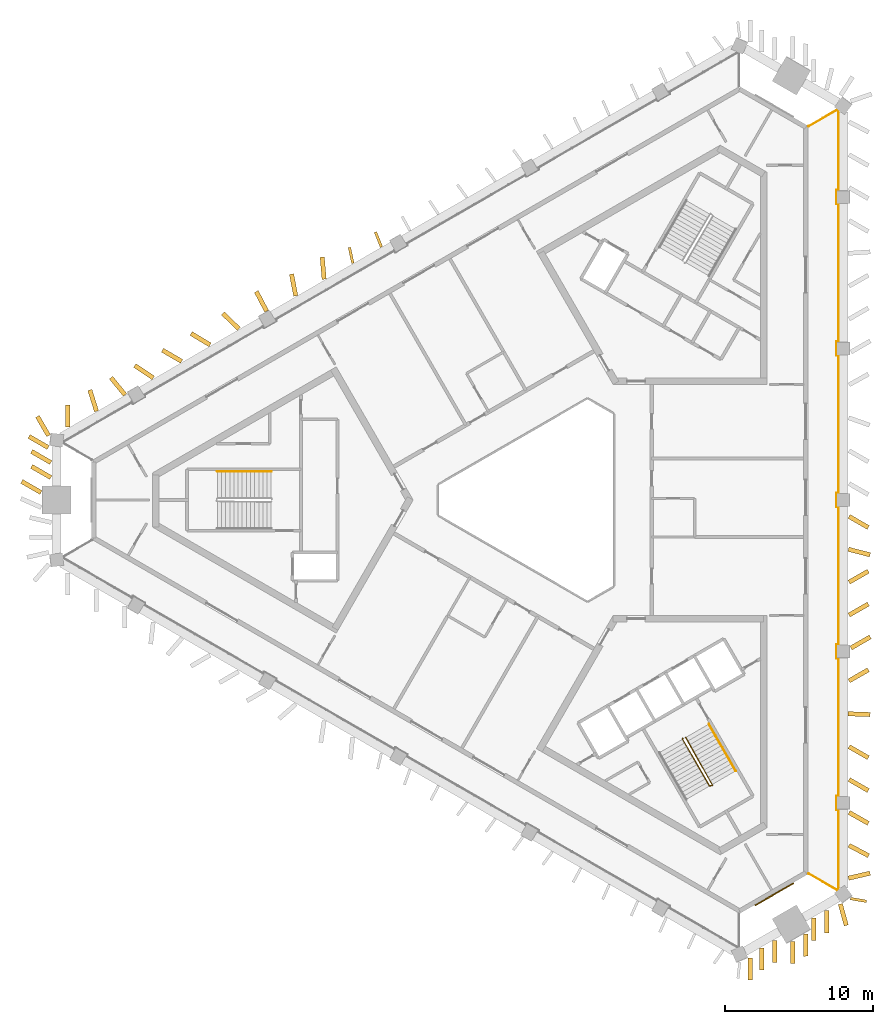
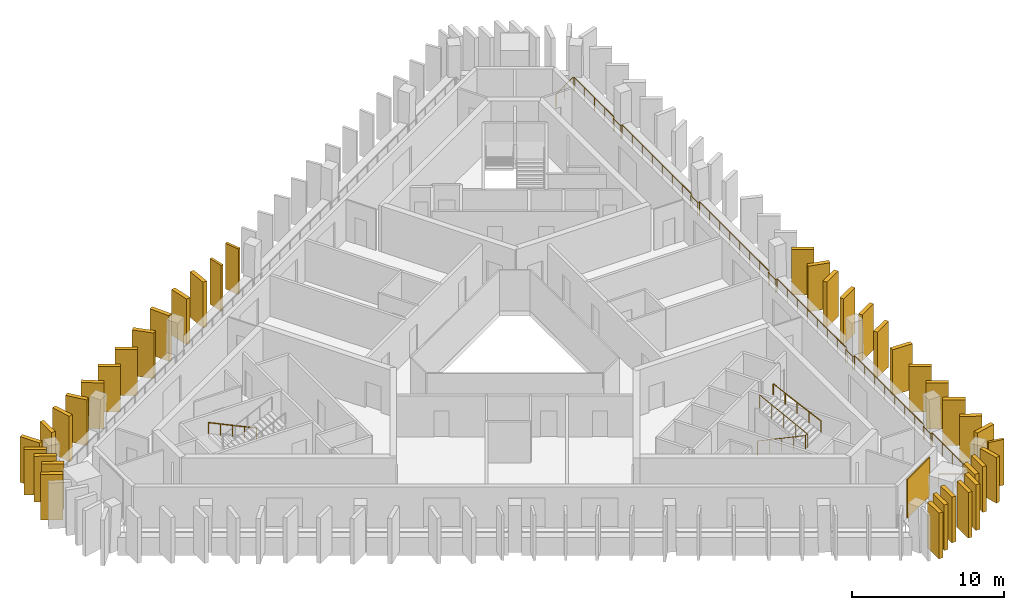
# One storey, part 8 of 9: 38 shading devices, 4 railings, 1 covering.
"""IFC4 building model written with IfcOpenShell, lengths in metres."""

from ifc_helpers import new_model, si_unit, direction, frame, frame_2d, origin, origin_2d, place, context, subcontext, project, spatial, rectangle, circle, extrude, material, layer, layer_set, type_object, element, save


model = new_model("IFC4")

# Units and contexts
model_context = context("Model", 3, precision=1e-05, world=origin(), true_north=direction((0.0, 1.0)))
body_context = subcontext(model_context, "Body", "Model", "MODEL_VIEW")
ifc_project = project(units=[si_unit("LENGTHUNIT", "METRE"), si_unit("AREAUNIT", "SQUARE_METRE"), si_unit("VOLUMEUNIT", "CUBIC_METRE"), si_unit("PLANEANGLEUNIT", "RADIAN"), si_unit("MASSUNIT", "GRAM", prefix="KILO")], contexts=[model_context])

# Site, building, storey
site_placement = place(None, origin())
site = spatial("IfcSite", under=ifc_project, at=site_placement, CompositionType="ELEMENT")
building_placement = place(site_placement, origin())
building = spatial("IfcBuilding", under=site, at=building_placement, Name="Jabali Bay Hotel Tower and Convention Centre", CompositionType="ELEMENT")
storey_placement = place(building_placement, frame((0.0, 0.0, 228.0)))
storey = spatial("IfcBuildingStorey", under=building, at=storey_placement, Name="L56", CompositionType="ELEMENT", Elevation=228.0)

# Railing
ifc_material_1 = material(Name="Glass", Category="glass")
railing_type_1 = type_object("IfcRailingType", Name="Loggia glass guard 1100", PredefinedType="BALUSTRADE", material=ifc_material_1)
railing_1_placement = place(storey_placement, frame((92.70263671875, 105.22412109375, 0.0)))
element("IfcRailing", 1, at=railing_1_placement, inside=storey, type_object=railing_type_1, Name="Loggia glass guard L56", PredefinedType="BALUSTRADE", context=body_context, shape_type="SweptSolid", body=[
    extrude(circle(Radius=0.02490234375, at=origin_2d()), frame((0.0, 0.0, 1.0751953125), z_axis=(0.866008297462, 0.50002962785, 0.0), x_axis=(-0.495751805066, 0.858599476426, 0.13052619222)), (0.0, 0.0, 1.0), 2.247314453125),
    extrude(circle(Radius=0.02490234375, at=origin_2d()), frame((1.9462890625, 1.123779296875, 1.0751953125), z_axis=(0.8, -0.6, 0.0), x_axis=(0.594866916824, 0.793155889099, 0.13052619222)), (0.0, 0.0, 1.0), 0.067138671875),
    extrude(circle(Radius=0.02490234375, at=origin_2d()), frame((2.0, 1.08349609375, 1.0751953125), z_axis=(0.0, -1.0, 0.0), x_axis=(0.991444861374, 0.0, 0.13052619222)), (0.0, 0.0, 1.0), 5.375732421875),
    extrude(circle(Radius=0.02490234375, at=origin_2d()), frame((2.0, -4.292236328125, 1.0751953125), z_axis=(-1.0, 0.0, 0.0), x_axis=(0.0, -0.991444861374, 0.13052619222)), (0.0, 0.0, 1.0), 0.125),
    extrude(circle(Radius=0.02490234375, at=origin_2d()), frame((1.875, -4.292236328125, 1.0751953125), z_axis=(0.0, -1.0, 0.0), x_axis=(0.991444861374, 0.0, 0.13052619222)), (0.0, 0.0, 1.0), 0.949951171875),
    extrude(circle(Radius=0.02490234375, at=origin_2d()), frame((1.875, -5.2421875, 1.0751953125), z_axis=(1.0, 0.0, 0.0), x_axis=(0.0, 0.991444861374, 0.13052619222)), (0.0, 0.0, 1.0), 0.125),
    extrude(circle(Radius=0.02490234375, at=origin_2d()), frame((2.0, -5.2421875, 1.0751953125), z_axis=(0.0, -1.0, 0.0), x_axis=(0.991444861374, 0.0, 0.13052619222)), (0.0, 0.0, 1.0), 9.278564453125),
    extrude(circle(Radius=0.02490234375, at=origin_2d()), frame((2.0, -14.520751953125, 1.0751953125), z_axis=(-1.0, 0.0, 0.0), x_axis=(0.0, -0.991444861374, 0.13052619222)), (0.0, 0.0, 1.0), 0.125),
    extrude(circle(Radius=0.02490234375, at=origin_2d()), frame((1.875, -14.520751953125, 1.0751953125), z_axis=(0.0, -1.0, 0.0), x_axis=(0.991444861374, 0.0, 0.13052619222)), (0.0, 0.0, 1.0), 0.949951171875),
    extrude(circle(Radius=0.02490234375, at=origin_2d()), frame((1.875, -15.470703125, 1.0751953125), z_axis=(1.0, 0.0, 0.0), x_axis=(0.0, 0.991444861374, 0.13052619222)), (0.0, 0.0, 1.0), 0.125),
    extrude(circle(Radius=0.02490234375, at=origin_2d()), frame((2.0, -15.470703125, 1.0751953125), z_axis=(0.0, -1.0, 0.0), x_axis=(0.991444861374, 0.0, 0.13052619222)), (0.0, 0.0, 1.0), 9.2783203125),
    extrude(circle(Radius=0.02490234375, at=origin_2d()), frame((2.0, -24.7490234375, 1.0751953125), z_axis=(-1.0, 0.0, 0.0), x_axis=(0.0, -0.991444861374, 0.13052619222)), (0.0, 0.0, 1.0), 0.125),
    extrude(circle(Radius=0.02490234375, at=origin_2d()), frame((1.875, -24.7490234375, 1.0751953125), z_axis=(0.0, -1.0, 0.0), x_axis=(0.991444861374, 0.0, 0.13052619222)), (0.0, 0.0, 1.0), 0.9501953125),
    extrude(circle(Radius=0.02490234375, at=origin_2d()), frame((1.875, -25.69921875, 1.0751953125), z_axis=(1.0, 0.0, 0.0), x_axis=(0.0, 0.991444861374, 0.13052619222)), (0.0, 0.0, 1.0), 0.125),
    extrude(circle(Radius=0.02490234375, at=origin_2d()), frame((2.0, -25.69921875, 1.0751953125), z_axis=(0.0, -1.0, 0.0), x_axis=(0.991444861374, 0.0, 0.13052619222)), (0.0, 0.0, 1.0), 9.2783203125),
    extrude(circle(Radius=0.02490234375, at=origin_2d()), frame((2.0, -34.9775390625, 1.0751953125), z_axis=(-1.0, 0.0, 0.0), x_axis=(0.0, -0.991444861374, 0.13052619222)), (0.0, 0.0, 1.0), 0.125),
    extrude(circle(Radius=0.02490234375, at=origin_2d()), frame((1.875, -34.9775390625, 1.0751953125), z_axis=(0.0, -1.0, 0.0), x_axis=(0.991444861374, 0.0, 0.13052619222)), (0.0, 0.0, 1.0), 0.949951171875),
    extrude(circle(Radius=0.02490234375, at=origin_2d()), frame((1.875, -35.927490234375, 1.0751953125), z_axis=(1.0, 0.0, 0.0), x_axis=(0.0, 0.991444861374, 0.13052619222)), (0.0, 0.0, 1.0), 0.125),
    extrude(circle(Radius=0.02490234375, at=origin_2d()), frame((2.0, -35.927490234375, 1.0751953125), z_axis=(0.0, -1.0, 0.0), x_axis=(0.991444861374, 0.0, 0.13052619222)), (0.0, 0.0, 1.0), 9.278564453125),
    extrude(circle(Radius=0.02490234375, at=origin_2d()), frame((2.0, -45.2060546875, 1.0751953125), z_axis=(-1.0, 0.0, 0.0), x_axis=(0.0, -0.991444861374, 0.13052619222)), (0.0, 0.0, 1.0), 0.125),
    extrude(circle(Radius=0.02490234375, at=origin_2d()), frame((1.875, -45.2060546875, 1.0751953125), z_axis=(0.0, -1.0, 0.0), x_axis=(0.991444861374, 0.0, 0.13052619222)), (0.0, 0.0, 1.0), 0.949951171875),
    extrude(circle(Radius=0.02490234375, at=origin_2d()), frame((1.875, -46.156005859375, 1.0751953125), z_axis=(1.0, 0.0, 0.0), x_axis=(0.0, 0.991444861374, 0.13052619222)), (0.0, 0.0, 1.0), 0.125),
    extrude(circle(Radius=0.02490234375, at=origin_2d()), frame((2.0, -46.156005859375, 1.0751953125), z_axis=(0.0, -1.0, 0.0), x_axis=(0.991444861374, 0.0, 0.13052619222)), (0.0, 0.0, 1.0), 5.375732421875),
    extrude(circle(Radius=0.02490234375, at=origin_2d()), frame((2.0, -51.53173828125, 1.0751953125), z_axis=(-0.8, -0.6, 0.0), x_axis=(0.594866916824, -0.793155889099, 0.13052619222)), (0.0, 0.0, 1.0), 0.067138671875),
    extrude(circle(Radius=0.02490234375, at=origin_2d()), frame((1.9462890625, -51.572021484375, 1.0751953125), z_axis=(-0.866008297462, 0.50002962785, 0.0), x_axis=(-0.495751805066, -0.858599476426, 0.13052619222)), (0.0, 0.0, 1.0), 2.247314453125),
    extrude(circle(Radius=0.02001953125, at=origin_2d()), origin(), (0.0, 0.0, 1.0), 1.050048828125),
    extrude(circle(Radius=0.02001953125, at=origin_2d()), frame((0.97314453125, 0.56201171875, 0.0)), (0.0, 0.0, 1.0), 1.050048828125),
    extrude(circle(Radius=0.02001953125, at=origin_2d()), frame((1.9462890625, 1.123779296875, 0.0)), (0.0, 0.0, 1.0), 1.050048828125),
    extrude(circle(Radius=0.02001953125, at=origin_2d()), frame((2.0, 1.08349609375, 0.0)), (0.0, 0.0, 1.0), 1.050048828125),
    extrude(circle(Radius=0.02001953125, at=origin_2d()), frame((2.0, -0.260498046875, 0.0)), (0.0, 0.0, 1.0), 1.050048828125),
    extrude(circle(Radius=0.02001953125, at=origin_2d()), frame((2.0, -1.6044921875, 0.0)), (0.0, 0.0, 1.0), 1.050048828125),
    extrude(circle(Radius=0.02001953125, at=origin_2d()), frame((2.0, -2.9482421875, 0.0)), (0.0, 0.0, 1.0), 1.050048828125),
    extrude(circle(Radius=0.02001953125, at=origin_2d()), frame((2.0, -4.292236328125, 0.0)), (0.0, 0.0, 1.0), 1.050048828125),
    extrude(circle(Radius=0.02001953125, at=origin_2d()), frame((1.875, -4.292236328125, 0.0)), (0.0, 0.0, 1.0), 1.050048828125),
    extrude(circle(Radius=0.02001953125, at=origin_2d()), frame((1.875, -5.2421875, 0.0)), (0.0, 0.0, 1.0), 1.050048828125),
    extrude(circle(Radius=0.02001953125, at=origin_2d()), frame((2.0, -5.2421875, 0.0)), (0.0, 0.0, 1.0), 1.050048828125),
    extrude(circle(Radius=0.02001953125, at=origin_2d()), frame((2.0, -6.567626953125, 0.0)), (0.0, 0.0, 1.0), 1.050048828125),
    extrude(circle(Radius=0.02001953125, at=origin_2d()), frame((2.0, -7.893310546875, 0.0)), (0.0, 0.0, 1.0), 1.050048828125),
    extrude(circle(Radius=0.02001953125, at=origin_2d()), frame((2.0, -9.21875, 0.0)), (0.0, 0.0, 1.0), 1.050048828125),
    extrude(circle(Radius=0.02001953125, at=origin_2d()), frame((2.0, -10.544189453125, 0.0)), (0.0, 0.0, 1.0), 1.050048828125),
    extrude(circle(Radius=0.02001953125, at=origin_2d()), frame((2.0, -11.86962890625, 0.0)), (0.0, 0.0, 1.0), 1.050048828125),
    extrude(circle(Radius=0.02001953125, at=origin_2d()), frame((2.0, -13.1953125, 0.0)), (0.0, 0.0, 1.0), 1.050048828125),
    extrude(circle(Radius=0.02001953125, at=origin_2d()), frame((2.0, -14.520751953125, 0.0)), (0.0, 0.0, 1.0), 1.050048828125),
    extrude(circle(Radius=0.02001953125, at=origin_2d()), frame((1.875, -14.520751953125, 0.0)), (0.0, 0.0, 1.0), 1.050048828125),
    extrude(circle(Radius=0.02001953125, at=origin_2d()), frame((1.875, -15.470703125, 0.0)), (0.0, 0.0, 1.0), 1.050048828125),
    extrude(circle(Radius=0.02001953125, at=origin_2d()), frame((2.0, -15.470703125, 0.0)), (0.0, 0.0, 1.0), 1.050048828125),
    extrude(circle(Radius=0.02001953125, at=origin_2d()), frame((2.0, -16.796142578125, 0.0)), (0.0, 0.0, 1.0), 1.050048828125),
    extrude(circle(Radius=0.02001953125, at=origin_2d()), frame((2.0, -18.12158203125, 0.0)), (0.0, 0.0, 1.0), 1.050048828125),
    extrude(circle(Radius=0.02001953125, at=origin_2d()), frame((2.0, -19.447021484375, 0.0)), (0.0, 0.0, 1.0), 1.050048828125),
    extrude(circle(Radius=0.02001953125, at=origin_2d()), frame((2.0, -20.772705078125, 0.0)), (0.0, 0.0, 1.0), 1.050048828125),
    extrude(circle(Radius=0.02001953125, at=origin_2d()), frame((2.0, -22.09814453125, 0.0)), (0.0, 0.0, 1.0), 1.050048828125),
    extrude(circle(Radius=0.02001953125, at=origin_2d()), frame((2.0, -23.423583984375, 0.0)), (0.0, 0.0, 1.0), 1.050048828125),
    extrude(circle(Radius=0.02001953125, at=origin_2d()), frame((2.0, -24.7490234375, 0.0)), (0.0, 0.0, 1.0), 1.050048828125),
    extrude(circle(Radius=0.02001953125, at=origin_2d()), frame((1.875, -24.7490234375, 0.0)), (0.0, 0.0, 1.0), 1.050048828125),
    extrude(circle(Radius=0.02001953125, at=origin_2d()), frame((1.875, -25.69921875, 0.0)), (0.0, 0.0, 1.0), 1.050048828125),
    extrude(circle(Radius=0.02001953125, at=origin_2d()), frame((2.0, -25.69921875, 0.0)), (0.0, 0.0, 1.0), 1.050048828125),
    extrude(circle(Radius=0.02001953125, at=origin_2d()), frame((2.0, -27.024658203125, 0.0)), (0.0, 0.0, 1.0), 1.050048828125),
    extrude(circle(Radius=0.02001953125, at=origin_2d()), frame((2.0, -28.35009765625, 0.0)), (0.0, 0.0, 1.0), 1.050048828125),
    extrude(circle(Radius=0.02001953125, at=origin_2d()), frame((2.0, -29.675537109375, 0.0)), (0.0, 0.0, 1.0), 1.050048828125),
    extrude(circle(Radius=0.02001953125, at=origin_2d()), frame((2.0, -31.001220703125, 0.0)), (0.0, 0.0, 1.0), 1.050048828125),
    extrude(circle(Radius=0.02001953125, at=origin_2d()), frame((2.0, -32.32666015625, 0.0)), (0.0, 0.0, 1.0), 1.050048828125),
    extrude(circle(Radius=0.02001953125, at=origin_2d()), frame((2.0, -33.652099609375, 0.0)), (0.0, 0.0, 1.0), 1.050048828125),
    extrude(circle(Radius=0.02001953125, at=origin_2d()), frame((2.0, -34.9775390625, 0.0)), (0.0, 0.0, 1.0), 1.050048828125),
    extrude(circle(Radius=0.02001953125, at=origin_2d()), frame((1.875, -34.9775390625, 0.0)), (0.0, 0.0, 1.0), 1.050048828125),
    extrude(circle(Radius=0.02001953125, at=origin_2d()), frame((1.875, -35.927490234375, 0.0)), (0.0, 0.0, 1.0), 1.050048828125),
    extrude(circle(Radius=0.02001953125, at=origin_2d()), frame((2.0, -35.927490234375, 0.0)), (0.0, 0.0, 1.0), 1.050048828125),
    extrude(circle(Radius=0.02001953125, at=origin_2d()), frame((2.0, -37.2529296875, 0.0)), (0.0, 0.0, 1.0), 1.050048828125),
    extrude(circle(Radius=0.02001953125, at=origin_2d()), frame((2.0, -38.57861328125, 0.0)), (0.0, 0.0, 1.0), 1.050048828125),
    extrude(circle(Radius=0.02001953125, at=origin_2d()), frame((2.0, -39.904052734375, 0.0)), (0.0, 0.0, 1.0), 1.050048828125),
    extrude(circle(Radius=0.02001953125, at=origin_2d()), frame((2.0, -41.2294921875, 0.0)), (0.0, 0.0, 1.0), 1.050048828125),
    extrude(circle(Radius=0.02001953125, at=origin_2d()), frame((2.0, -42.554931640625, 0.0)), (0.0, 0.0, 1.0), 1.050048828125),
    extrude(circle(Radius=0.02001953125, at=origin_2d()), frame((2.0, -43.880615234375, 0.0)), (0.0, 0.0, 1.0), 1.050048828125),
    extrude(circle(Radius=0.02001953125, at=origin_2d()), frame((2.0, -45.2060546875, 0.0)), (0.0, 0.0, 1.0), 1.050048828125),
    extrude(circle(Radius=0.02001953125, at=origin_2d()), frame((1.875, -45.2060546875, 0.0)), (0.0, 0.0, 1.0), 1.050048828125),
    extrude(circle(Radius=0.02001953125, at=origin_2d()), frame((1.875, -46.156005859375, 0.0)), (0.0, 0.0, 1.0), 1.050048828125),
    extrude(circle(Radius=0.02001953125, at=origin_2d()), frame((2.0, -46.156005859375, 0.0)), (0.0, 0.0, 1.0), 1.050048828125),
    extrude(circle(Radius=0.02001953125, at=origin_2d()), frame((2.0, -47.5, 0.0)), (0.0, 0.0, 1.0), 1.050048828125),
    extrude(circle(Radius=0.02001953125, at=origin_2d()), frame((2.0, -48.84375, 0.0)), (0.0, 0.0, 1.0), 1.050048828125),
    extrude(circle(Radius=0.02001953125, at=origin_2d()), frame((2.0, -50.187744140625, 0.0)), (0.0, 0.0, 1.0), 1.050048828125),
    extrude(circle(Radius=0.02001953125, at=origin_2d()), frame((2.0, -51.53173828125, 0.0)), (0.0, 0.0, 1.0), 1.050048828125),
    extrude(circle(Radius=0.02001953125, at=origin_2d()), frame((1.9462890625, -51.572021484375, 0.0)), (0.0, 0.0, 1.0), 1.050048828125),
    extrude(circle(Radius=0.02001953125, at=origin_2d()), frame((0.97314453125, -51.01025390625, 0.0)), (0.0, 0.0, 1.0), 1.050048828125),
    extrude(circle(Radius=0.02001953125, at=origin_2d()), frame((0.0, -50.4482421875, 0.0)), (0.0, 0.0, 1.0), 1.050048828125),
])

# Shading devices
ifc_material_2 = material(Name="Precast concrete C60", Category="concrete")
ifc_layer_1 = layer(ifc_material_2, 0.179931640625)
ifc_layer_set_1 = layer_set([ifc_layer_1], Name="Precast concrete C60")
shading_device_type_1 = type_object("IfcShadingDeviceType", Name="Precast fin 3680 x 1100", PredefinedType="USERDEFINED", material=ifc_layer_set_1)
shading_device_1_placement = place(storey_placement, frame((63.85986328125, 97.0751953125, 0.010009765625), z_axis=(0.0, 0.0, 1.0), x_axis=(-0.373952940846, 0.927447679404, 0.0)))
element("IfcShadingDevice", 2, at=shading_device_1_placement, inside=storey, type_object=shading_device_type_1, Name="Fin L56 044", ObjectType="FIN", PredefinedType="USERDEFINED", context=body_context, shape_type="SweptSolid", body=[
    extrude(rectangle(XDim=1.10009765625, YDim=0.179931640625, at=frame_2d((0.550048828125, 0.0))), origin(), (0.0, 0.0, 1.0), 3.679931640625),
])
for number, where, z_axis, x_axis, name in (
    (3, (61.93017578125, 95.97802734375, 0.010009765625), (0.0, 0.0, 1.0), (-0.214438287077, 0.976737539483, 0.0), "Fin L56 045"),
    (4, (95.510498046875, 53.09716796875, 0.010009765625), (0.0, 0.0, 1.0), (0.985818044494, -0.167817708092, 0.0), "Fin L56 096"),
):
    element("IfcShadingDevice", number, at=place(storey_placement, frame(where, z_axis=z_axis, x_axis=x_axis)), inside=storey, type_object=shading_device_type_1, Name=name, ObjectType="FIN", PredefinedType="USERDEFINED", context=body_context, shape_type="SweptSolid", body=[
        extrude(rectangle(XDim=1.099853515625, YDim=0.179931640625, at=frame_2d((0.5498046875, 0.0))), origin(), (0.0, 0.0, 1.0), 3.679931640625),
    ])
ifc_layer_2 = layer(ifc_material_2, 0.300048828125)
ifc_layer_set_2 = layer_set([ifc_layer_2], Name="Precast concrete C60")
shading_device_type_2 = type_object("IfcShadingDeviceType", Name="Precast fin 3680 x 1500", PredefinedType="USERDEFINED", material=ifc_layer_set_2)
for number, where, z_axis, x_axis, name in (
    (5, (95.37890625, 54.471435546875, 0.010009765625), (0.0, 0.0, 1.0), (0.974110642733, 0.226071793276, 0.0), "Fin L56 000"),
    (6, (95.415283203125, 56.691162109375, 0.010009765625), (0.0, 0.0, 1.0), (0.883494763979, -0.468441033665, 0.0), "Fin L56 001"),
):
    element("IfcShadingDevice", number, at=place(storey_placement, frame(where, z_axis=z_axis, x_axis=x_axis)), inside=storey, type_object=shading_device_type_2, Name=name, ObjectType="FIN", PredefinedType="USERDEFINED", context=body_context, shape_type="SweptSolid", body=[
        extrude(rectangle(XDim=1.5, YDim=0.300048828125, at=frame_2d((0.75, 0.0))), origin(), (0.0, 0.0, 1.0), 3.679931640625),
    ])
shading_device_2_placement = place(storey_placement, frame((95.4189453125, 58.9111328125, 0.010009765625), z_axis=(0.0, 0.0, 1.0), x_axis=(0.870368744559, -0.492400496034, 0.0)))
element("IfcShadingDevice", 7, at=shading_device_2_placement, inside=storey, type_object=shading_device_type_2, Name="Fin L56 002", ObjectType="FIN", PredefinedType="USERDEFINED", context=body_context, shape_type="SweptSolid", body=[
    extrude(rectangle(XDim=1.499755859375, YDim=0.300048828125, at=frame_2d((0.75, 0.0))), origin(), (0.0, 0.0, 1.0), 3.679931640625),
])
shading_device_3_placement = place(storey_placement, frame((95.41943359375, 61.131103515625, 0.010009765625), z_axis=(0.0, 0.0, 1.0), x_axis=(0.867852315158, -0.49682226105, 0.0)))
element("IfcShadingDevice", 8, at=shading_device_3_placement, inside=storey, type_object=shading_device_type_2, Name="Fin L56 003", ObjectType="FIN", PredefinedType="USERDEFINED", context=body_context, shape_type="SweptSolid", body=[
    extrude(rectangle(XDim=1.500244140625, YDim=0.300048828125, at=frame_2d((0.75, 0.0))), origin(), (0.0, 0.0, 1.0), 3.679931640625),
])
for number, where, z_axis, x_axis, name in (
    (9, (95.419677734375, 63.350830078125, 0.010009765625), (0.0, 0.0, 1.0), (0.867340277111, -0.497715625334, 0.0), "Fin L56 004"),
    (10, (95.350341796875, 65.57080078125, 0.010009765625), (0.0, 0.0, 1.0), (0.999381787347, -0.035157404897, 0.0), "Fin L56 005"),
    (11, (95.419677734375, 67.790771484375, 0.010009765625), (0.0, 0.0, 1.0), (0.867229669326, 0.497908325538, 0.0), "Fin L56 006"),
    (12, (95.55224609375, 70.010498046875, 0.010009765625), (0.0, 0.0, 1.0), (0.867159382876, 0.498030726652, 0.0), "Fin L56 007"),
    (13, (95.419677734375, 72.23046875, 0.010009765625), (0.0, 0.0, 1.0), (0.867159382876, 0.498030726652, 0.0), "Fin L56 008"),
    (14, (95.419677734375, 74.4501953125, 0.010009765625), (0.0, 0.0, 1.0), (0.867159382876, 0.498030726652, 0.0), "Fin L56 009"),
    (15, (95.3818359375, 76.670166015625, 0.010009765625), (0.0, 0.0, 1.0), (0.96928437304, -0.245942684746, 0.0), "Fin L56 010"),
    (16, (95.419677734375, 78.89013671875, 0.010009765625), (0.0, 0.0, 1.0), (0.867159382876, -0.498030726652, 0.0), "Fin L56 011"),
    (17, (59.989501953125, 94.899658203125, 0.010009765625), (0.0, 0.0, 1.0), (-0.084634802345, 0.996412038382, 0.0), "Fin L56 046"),
    (18, (58.074462890625, 93.77685546875, 0.010009765625), (0.0, 0.0, 1.0), (-0.190259747508, 0.98173378697, 0.0), "Fin L56 047"),
    (19, (56.10693359375, 92.74462890625, 0.010009765625), (0.0, 0.0, 1.0), (-0.463867107626, 0.885904795372, 0.0), "Fin L56 048"),
):
    element("IfcShadingDevice", number, at=place(storey_placement, frame(where, z_axis=z_axis, x_axis=x_axis)), inside=storey, type_object=shading_device_type_2, Name=name, ObjectType="FIN", PredefinedType="USERDEFINED", context=body_context, shape_type="SweptSolid", body=[
        extrude(rectangle(XDim=1.5, YDim=0.300048828125, at=frame_2d((0.75, 0.0))), origin(), (0.0, 0.0, 1.0), 3.679931640625),
    ])
shading_device_4_placement = place(storey_placement, frame((54.2333984375, 91.550048828125, 0.010009765625), z_axis=(0.0, 0.0, 1.0), x_axis=(-0.716725930909, 0.697354959803, 0.0)))
element("IfcShadingDevice", 20, at=shading_device_4_placement, inside=storey, type_object=shading_device_type_2, Name="Fin L56 049", ObjectType="FIN", PredefinedType="USERDEFINED", context=body_context, shape_type="SweptSolid", body=[
    extrude(rectangle(XDim=1.499755859375, YDim=0.300048828125, at=frame_2d((0.75, 0.0))), origin(), (0.0, 0.0, 1.0), 3.679931640625),
])
for number, where, z_axis, x_axis, name in (
    (21, (52.294921875, 90.468017578125, 0.010009765625), (0.0, 0.0, 1.0), (-0.858568146325, 0.512699461786, 0.0), "Fin L56 050"),
    (22, (50.37158203125, 89.359375, 0.010009765625), (0.0, 0.0, 1.0), (-0.864898360543, 0.501947034986, 0.0), "Fin L56 051"),
):
    element("IfcShadingDevice", number, at=place(storey_placement, frame(where, z_axis=z_axis, x_axis=x_axis)), inside=storey, type_object=shading_device_type_2, Name=name, ObjectType="FIN", PredefinedType="USERDEFINED", context=body_context, shape_type="SweptSolid", body=[
        extrude(rectangle(XDim=1.5, YDim=0.300048828125, at=frame_2d((0.75, 0.0))), origin(), (0.0, 0.0, 1.0), 3.679931640625),
    ])
shading_device_5_placement = place(storey_placement, frame((48.453369140625, 88.241943359375, 0.010009765625), z_axis=(0.0, 0.0, 1.0), x_axis=(-0.830167318038, 0.557514326329, 0.0)))
element("IfcShadingDevice", 23, at=shading_device_5_placement, inside=storey, type_object=shading_device_type_2, Name="Fin L56 052", ObjectType="FIN", PredefinedType="USERDEFINED", context=body_context, shape_type="SweptSolid", body=[
    extrude(rectangle(XDim=1.499755859375, YDim=0.300048828125, at=frame_2d((0.75, 0.0))), origin(), (0.0, 0.0, 1.0), 3.679931640625),
])
for number, where, z_axis, x_axis, name in (
    (24, (46.552001953125, 87.095458984375, 0.010009765625), (0.0, 0.0, 1.0), (-0.631499041041, 0.775376657608, 0.0), "Fin L56 053"),
    (25, (44.625244140625, 85.9931640625, 0.010009765625), (0.0, 0.0, 1.0), (-0.299136699949, 0.954210267574, 0.0), "Fin L56 054"),
    (26, (42.681640625, 84.919677734375, 0.010009765625), (0.0, 0.0, 1.0), (-0.002278639918, 0.999997403897, 0.0), "Fin L56 055"),
    (27, (41.36572265625, 83.541015625, 0.010009765625), (0.0, 0.0, 1.0), (-0.867159382876, 0.498030726652, 0.0), "Fin L56 056"),
):
    element("IfcShadingDevice", number, at=place(storey_placement, frame(where, z_axis=z_axis, x_axis=x_axis)), inside=storey, type_object=shading_device_type_2, Name=name, ObjectType="FIN", PredefinedType="USERDEFINED", context=body_context, shape_type="SweptSolid", body=[
        extrude(rectangle(XDim=1.5, YDim=0.300048828125, at=frame_2d((0.75, 0.0))), origin(), (0.0, 0.0, 1.0), 3.679931640625),
    ])
for number, where, z_axis, x_axis, name in (
    (28, (41.54248046875, 82.529296875, 0.010009765625), (0.0, 0.0, 1.0), (-0.867119005422, 0.498101024327, 0.0), "Fin L56 057"),
    (29, (41.54248046875, 81.517578125, 0.010009765625), (0.0, 0.0, 1.0), (-0.867119005422, 0.498101024327, 0.0), "Fin L56 058"),
):
    element("IfcShadingDevice", number, at=place(storey_placement, frame(where, z_axis=z_axis, x_axis=x_axis)), inside=storey, type_object=shading_device_type_2, Name=name, ObjectType="FIN", PredefinedType="USERDEFINED", context=body_context, shape_type="SweptSolid", body=[
        extrude(rectangle(XDim=1.499755859375, YDim=0.300048828125, at=frame_2d((0.75, 0.0))), origin(), (0.0, 0.0, 1.0), 3.679931640625),
    ])
for number, where, z_axis, x_axis, name in (
    (30, (40.8798828125, 80.505859375, 0.010009765625), (0.0, 0.0, 1.0), (-0.867159382876, 0.498030726652, 0.0), "Fin L56 059"),
    (31, (88.75048828125, 49.101318359375, 0.010009765625), (0.0, 0.0, 1.0), (0.002278639918, -0.999997403897, 0.0), "Fin L56 088"),
    (32, (89.538330078125, 49.760498046875, 0.010009765625), (0.0, 0.0, 1.0), (0.002278639918, -0.999997403897, 0.0), "Fin L56 089"),
    (33, (90.41455078125, 50.266357421875, 0.010009765625), (0.0, 0.0, 1.0), (0.002278639918, -0.999997403897, 0.0), "Fin L56 090"),
    (34, (91.6220703125, 50.1982421875, 0.010009765625), (0.0, 0.0, 1.0), (0.00211588068, -0.999997761522, 0.0), "Fin L56 091"),
    (35, (92.498046875, 50.7041015625, 0.010009765625), (0.0, 0.0, 1.0), (0.002278639918, -0.999997403897, 0.0), "Fin L56 092"),
    (36, (93.04296875, 51.78369140625, 0.010009765625), (0.0, 0.0, 1.0), (0.002278639918, -0.999997403897, 0.0), "Fin L56 093"),
    (37, (93.919189453125, 52.28955078125, 0.010009765625), (0.0, 0.0, 1.0), (0.00211588068, -0.999997761522, 0.0), "Fin L56 094"),
    (38, (94.83349609375, 52.729248046875, 0.010009765625), (0.0, 0.0, 1.0), (0.266434860156, -0.963852927211, 0.0), "Fin L56 095"),
    (39, (41.391845703125, 84.342529296875, 0.010009765625), (0.0, 0.0, 1.0), (-0.501947034986, 0.864898360543, 0.0), "Fin L56 099"),
):
    element("IfcShadingDevice", number, at=place(storey_placement, frame(where, z_axis=z_axis, x_axis=x_axis)), inside=storey, type_object=shading_device_type_2, Name=name, ObjectType="FIN", PredefinedType="USERDEFINED", context=body_context, shape_type="SweptSolid", body=[
        extrude(rectangle(XDim=1.5, YDim=0.300048828125, at=frame_2d((0.75, 0.0))), origin(), (0.0, 0.0, 1.0), 3.679931640625),
    ])

# Covering
ifc_material_3 = material(Name="Precast concrete C40/50", Category="concrete")
ifc_layer_3 = layer(ifc_material_3, 0.080078125)
ifc_layer_set_3 = layer_set([ifc_layer_3], Name="Precast concrete C40/50")
covering_type = type_object("IfcCoveringType", Name="Relief panel 3000 x 3100", PredefinedType="CLADDING", material=ifc_layer_set_3)
covering_placement = place(storey_placement, frame((90.367919921875, 53.3818359375, 0.099853515625), z_axis=(0.0, 0.0, 1.0), x_axis=(-0.866025348859, -0.500000095134, 0.0)))
element("IfcCovering", 40, at=covering_placement, inside=storey, type_object=covering_type, Name="Relief panel L56", PredefinedType="CLADDING", context=body_context, shape_type="SweptSolid", body=[
    extrude(rectangle(XDim=3.0, YDim=0.080078125, at=origin_2d()), origin(), (0.0, 0.0, 1.0), 3.10009765625),
])

# Railings
ifc_material_4 = material(Name="Steel Q355B", Category="steel")
railing_type_2 = type_object("IfcRailingType", Name="Stair guard 1100", PredefinedType="GUARDRAIL", material=ifc_material_4)
railing_2_placement = place(storey_placement, frame((84.199951171875, 63.9150390625, 0.0)))
element("IfcRailing", 41, at=railing_2_placement, inside=storey, type_object=railing_type_2, Name="L56 ST3 stair guard 1", PredefinedType="GUARDRAIL", context=body_context, shape_type="SweptSolid", body=[
    extrude(circle(Radius=0.02392578125, at=origin_2d()), frame((0.0, 0.0, 1.076171875), z_axis=(-0.122196845461, -0.456201556387, 0.881446578591), x_axis=(0.965948051503, -0.258736085224, 0.0)), (0.0, 0.0, 1.0), 0.14990234375),
    extrude(circle(Radius=0.02392578125, at=origin_2d()), frame((-0.018310546875, -0.068359375, 1.2080078125), z_axis=(0.45217862506, -0.783169739339, 0.426825081763), x_axis=(0.866018046521, 0.500012742938, 0.0)), (0.0, 0.0, 1.0), 4.025146484375),
    extrude(circle(Radius=0.02392578125, at=origin_2d()), frame((1.8017578125, -3.220703125, 2.92626953125), z_axis=(0.96121063429, 0.275815366736, 0.0), x_axis=(-0.275815366736, 0.96121063429, 0.0)), (0.0, 0.0, 1.0), 0.206298828125),
    extrude(circle(Radius=0.02392578125, at=origin_2d()), frame((2.0, -3.163818359375, 2.92626953125), z_axis=(-0.436481798955, 0.780166857725, 0.448133142368), x_axis=(-0.872702246529, -0.488252792008, 0.0)), (0.0, 0.0, 1.0), 4.1279296875),
    extrude(circle(Radius=0.02099609375, at=origin_2d()), origin(), (0.0, 0.0, 1.0), 1.052001953125),
    extrude(circle(Radius=0.02099609375, at=origin_2d()), frame((-0.018310546875, -0.068359375, 0.132080078125)), (0.0, 0.0, 1.0), 1.052001953125),
    extrude(circle(Radius=0.02099609375, at=origin_2d()), frame((0.436767578125, -0.8564453125, 0.5615234375)), (0.0, 0.0, 1.0), 1.052001953125),
    extrude(circle(Radius=0.02099609375, at=origin_2d()), frame((0.8916015625, -1.64453125, 0.9912109375)), (0.0, 0.0, 1.0), 1.052001953125),
    extrude(circle(Radius=0.02099609375, at=origin_2d()), frame((1.3466796875, -2.4326171875, 1.420654296875)), (0.0, 0.0, 1.0), 1.052001953125),
    extrude(circle(Radius=0.02099609375, at=origin_2d()), frame((1.8017578125, -3.220703125, 1.85009765625)), (0.0, 0.0, 1.0), 1.052001953125),
    extrude(circle(Radius=0.02099609375, at=origin_2d()), frame((2.0, -3.163818359375, 1.85009765625)), (0.0, 0.0, 1.0), 1.052001953125),
    extrude(circle(Radius=0.02099609375, at=origin_2d()), frame((1.549560546875, -2.358642578125, 2.3125)), (0.0, 0.0, 1.0), 1.052001953125),
    extrude(circle(Radius=0.02099609375, at=origin_2d()), frame((1.09912109375, -1.5537109375, 2.77490234375)), (0.0, 0.0, 1.0), 1.052001953125),
    extrude(circle(Radius=0.02099609375, at=origin_2d()), frame((0.648681640625, -0.74853515625, 3.237548828125)), (0.0, 0.0, 1.0), 1.052001953125),
    extrude(circle(Radius=0.02099609375, at=origin_2d()), frame((0.1982421875, 0.056640625, 3.699951171875)), (0.0, 0.0, 1.0), 1.052001953125),
])
railing_type_3 = type_object("IfcRailingType", Name="Stair handrail 900", PredefinedType="HANDRAIL", material=ifc_material_4)
railing_3_placement = place(storey_placement, frame((56.419921875, 81.925048828125, 0.132080078125)))
element("IfcRailing", 42, at=railing_3_placement, inside=storey, type_object=railing_type_3, Name="L56 ST1 stair handrail 1", PredefinedType="HANDRAIL", context=body_context, shape_type="SweptSolid", body=[
    extrude(circle(Radius=0.02392578125, at=origin_2d()), frame((0.0, 0.0, 0.8759765625), z_axis=(-0.904327350853, 0.0, 0.426839598092), x_axis=(0.0, -1.0, 0.0)), (0.0, 0.0, 1.0), 4.02490234375),
    extrude(circle(Radius=0.02099609375, at=origin_2d()), origin(), (0.0, 0.0, 1.0), 0.851806640625),
    extrude(circle(Radius=0.02099609375, at=origin_2d()), frame((-0.909912109375, 0.0, 0.429443359375)), (0.0, 0.0, 1.0), 0.851806640625),
    extrude(circle(Radius=0.02099609375, at=origin_2d()), frame((-1.81982421875, 0.0, 0.85888671875)), (0.0, 0.0, 1.0), 0.851806640625),
    extrude(circle(Radius=0.02099609375, at=origin_2d()), frame((-2.72998046875, 0.0, 1.28857421875)), (0.0, 0.0, 1.0), 0.851806640625),
    extrude(circle(Radius=0.02099609375, at=origin_2d()), frame((-3.639892578125, 0.0, 1.718017578125)), (0.0, 0.0, 1.0), 0.851806640625),
])
railing_4_placement = place(storey_placement, frame((87.777099609375, 61.719482421875, 1.982177734375)))
element("IfcRailing", 43, at=railing_4_placement, inside=storey, type_object=railing_type_3, Name="L56 ST3 stair handrail 2", PredefinedType="HANDRAIL", context=body_context, shape_type="SweptSolid", body=[
    extrude(circle(Radius=0.02392578125, at=origin_2d()), frame((0.0, 0.0, 0.8759765625), z_axis=(-0.452190331055, 0.783190014029, 0.426775475427), x_axis=(-0.866018046521, -0.500012742938, 0.0)), (0.0, 0.0, 1.0), 4.02490234375),
    extrude(circle(Radius=0.02099609375, at=origin_2d()), origin(), (0.0, 0.0, 1.0), 0.851806640625),
    extrude(circle(Radius=0.02099609375, at=origin_2d()), frame((-0.455078125, 0.7880859375, 0.429443359375)), (0.0, 0.0, 1.0), 0.851806640625),
    extrude(circle(Radius=0.02099609375, at=origin_2d()), frame((-0.91015625, 1.576171875, 0.85888671875)), (0.0, 0.0, 1.0), 0.851806640625),
    extrude(circle(Radius=0.02099609375, at=origin_2d()), frame((-1.364990234375, 2.3642578125, 1.288330078125)), (0.0, 0.0, 1.0), 0.851806640625),
    extrude(circle(Radius=0.02099609375, at=origin_2d()), frame((-1.820068359375, 3.15234375, 1.7177734375)), (0.0, 0.0, 1.0), 0.851806640625),
])

save(model, "model.ifc")
